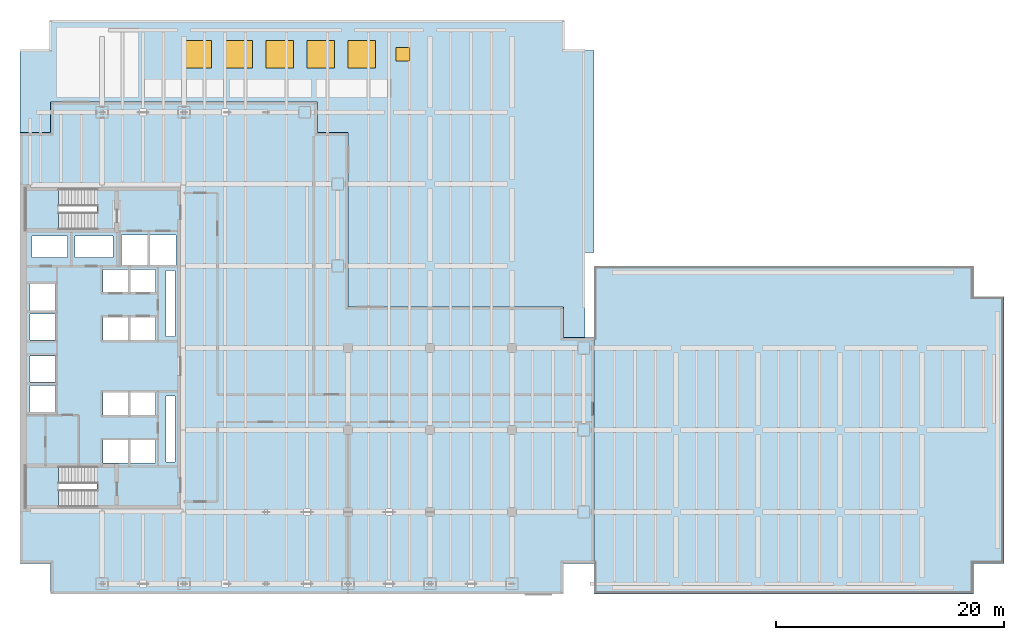
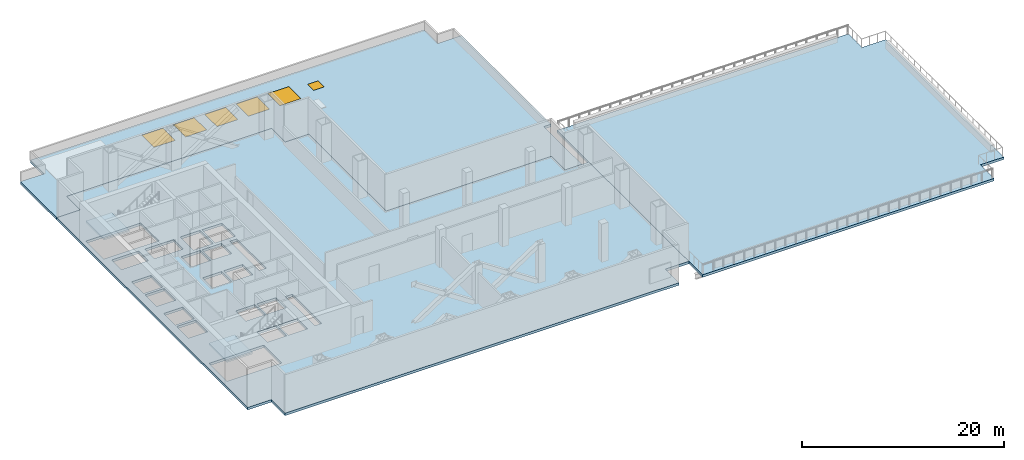
# One storey, part 5 of 12: 6 windows, 5 slabs, 26 openings, 2 elements without a shape of their own.
"""IFC4 building model written with IfcOpenShell, lengths in metres."""

from ifc_helpers import new_model, si_unit, direction, frame, origin, origin_2d, place, context, subcontext, project, spatial, polyline, rectangle, outline, extrude, material, layer, layer_set, type_object, element, fill, aggregate, save


model = new_model("IFC4")

# Units and contexts
model_context = context("Model", 3, precision=1e-05, world=origin(), true_north=direction((0.0, 1.0)))
body_context = subcontext(model_context, "Body", "Model", "MODEL_VIEW")
ifc_project = project(units=[si_unit("LENGTHUNIT", "METRE"), si_unit("AREAUNIT", "SQUARE_METRE"), si_unit("VOLUMEUNIT", "CUBIC_METRE"), si_unit("PLANEANGLEUNIT", "RADIAN"), si_unit("MASSUNIT", "GRAM", prefix="KILO")], contexts=[model_context])

# Site, building, storey
site_placement = place(None, origin())
site = spatial("IfcSite", under=ifc_project, at=site_placement, CompositionType="ELEMENT")
building_placement = place(site_placement, origin())
building = spatial("IfcBuilding", under=site, at=building_placement, Name="Cobrela Telecom Tower", CompositionType="ELEMENT")
storey_placement = place(building_placement, frame((0.0, 0.0, 26.25)))
storey = spatial("IfcBuildingStorey", under=building, at=storey_placement, Name="L06", CompositionType="ELEMENT", Elevation=26.25)

# Slab, openings
ifc_material_1 = material(Name="Concrete C40/50", Category="concrete")
ifc_layer_1 = layer(ifc_material_1, 0.300048828125)
ifc_layer_set_1 = layer_set([ifc_layer_1], Name="Concrete C40/50")
slab_type_1 = type_object("IfcSlabType", Name="SLAB-FLR-300", PredefinedType="FLOOR", material=ifc_layer_set_1)
slab_1_placement = place(storey_placement, frame((0.0, 0.0, -0.300048828125)))
slab_1 = element("IfcSlab", 1, at=slab_1_placement, inside=storey, type_object=slab_type_1, Name="L06 Structural Floor Slab", PredefinedType="FLOOR", context=body_context, shape_type="SweptSolid", body=[
    extrude(outline(polyline([(2.699951171875, 0.0), (47.699951171875, 0.0), (47.699951171875, 2.699951171875), (50.39990234375, 2.699951171875), (50.39990234375, 22.5), (47.699951171875, 22.5), (47.699951171875, 25.199951171875), (28.800048828125, 25.199951171875), (28.800048828125, 40.5), (26.10009765625, 40.5), (26.10009765625, 43.199951171875), (2.699951171875, 43.199951171875), (2.699951171875, 40.5), (0.0, 40.5), (0.0, 2.699951171875), (2.699951171875, 2.699951171875), (2.699951171875, 0.0)])), origin(), (0.0, 0.0, 1.0), 0.300048828125),
])
opening_1_placement = place(slab_1_placement, frame((0.0, 0.0, -0.02001953125)))
element("IfcOpeningElement", 2, at=opening_1_placement, cuts=slab_1, Name="Slab Shaft Opening SLAB-L06-MAIN.1", PredefinedType="OPENING", context=body_context, shape_type="SweptSolid", body=[
    extrude(outline(polyline([(8.89990234375, 28.89990234375), (11.199951171875, 28.89990234375), (11.199951171875, 31.5), (8.89990234375, 31.5), (8.89990234375, 28.89990234375)])), origin(), (0.0, 0.0, 1.0), 0.340087890625),
])
opening_2_placement = place(slab_1_placement, frame((0.0, 0.0, -0.02001953125)))
element("IfcOpeningElement", 3, at=opening_2_placement, cuts=slab_1, Name="Slab Shaft Opening SLAB-L06-MAIN.2", PredefinedType="OPENING", context=body_context, shape_type="SweptSolid", body=[
    extrude(outline(polyline([(11.39990234375, 28.89990234375), (13.699951171875, 28.89990234375), (13.699951171875, 31.5), (11.39990234375, 31.5), (11.39990234375, 28.89990234375)])), origin(), (0.0, 0.0, 1.0), 0.340087890625),
])
opening_3_placement = place(slab_1_placement, frame((0.0, 0.0, -0.02001953125)))
element("IfcOpeningElement", 4, at=opening_3_placement, cuts=slab_1, Name="Slab Shaft Opening SLAB-L06-MAIN.3", PredefinedType="OPENING", context=body_context, shape_type="SweptSolid", body=[
    extrude(outline(polyline([(7.300048828125, 22.300048828125), (9.5, 22.300048828125), (9.5, 24.300048828125), (7.300048828125, 24.300048828125), (7.300048828125, 22.300048828125)])), origin(), (0.0, 0.0, 1.0), 0.340087890625),
])
opening_4_placement = place(slab_1_placement, frame((0.0, 0.0, -0.02001953125)))
element("IfcOpeningElement", 5, at=opening_4_placement, cuts=slab_1, Name="Slab Shaft Opening SLAB-L06-MAIN.4", PredefinedType="OPENING", context=body_context, shape_type="SweptSolid", body=[
    extrude(outline(polyline([(9.699951171875, 22.300048828125), (11.89990234375, 22.300048828125), (11.89990234375, 24.300048828125), (9.699951171875, 24.300048828125), (9.699951171875, 22.300048828125)])), origin(), (0.0, 0.0, 1.0), 0.340087890625),
])
opening_5_placement = place(slab_1_placement, frame((0.0, 0.0, -0.02001953125)))
element("IfcOpeningElement", 6, at=opening_5_placement, cuts=slab_1, Name="Slab Shaft Opening SLAB-L06-MAIN.5", PredefinedType="OPENING", context=body_context, shape_type="SweptSolid", body=[
    extrude(outline(polyline([(7.300048828125, 26.5), (9.5, 26.5), (9.5, 28.5), (7.300048828125, 28.5), (7.300048828125, 26.5)])), origin(), (0.0, 0.0, 1.0), 0.340087890625),
])
opening_6_placement = place(slab_1_placement, frame((0.0, 0.0, -0.02001953125)))
element("IfcOpeningElement", 7, at=opening_6_placement, cuts=slab_1, Name="Slab Shaft Opening SLAB-L06-MAIN.6", PredefinedType="OPENING", context=body_context, shape_type="SweptSolid", body=[
    extrude(outline(polyline([(9.699951171875, 26.5), (11.89990234375, 26.5), (11.89990234375, 28.5), (9.699951171875, 28.5), (9.699951171875, 26.5)])), origin(), (0.0, 0.0, 1.0), 0.340087890625),
])
opening_7_placement = place(slab_1_placement, frame((0.0, 0.0, -0.02001953125)))
element("IfcOpeningElement", 8, at=opening_7_placement, cuts=slab_1, Name="Slab Shaft Opening SLAB-L06-MAIN.7", PredefinedType="OPENING", context=body_context, shape_type="SweptSolid", body=[
    extrude(outline(polyline([(7.300048828125, 15.699951171875), (9.5, 15.699951171875), (9.5, 17.699951171875), (7.300048828125, 17.699951171875), (7.300048828125, 15.699951171875)])), origin(), (0.0, 0.0, 1.0), 0.340087890625),
])
opening_8_placement = place(slab_1_placement, frame((0.0, 0.0, -0.02001953125)))
element("IfcOpeningElement", 9, at=opening_8_placement, cuts=slab_1, Name="Slab Shaft Opening SLAB-L06-MAIN.8", PredefinedType="OPENING", context=body_context, shape_type="SweptSolid", body=[
    extrude(outline(polyline([(9.699951171875, 15.699951171875), (11.89990234375, 15.699951171875), (11.89990234375, 17.699951171875), (9.699951171875, 17.699951171875), (9.699951171875, 15.699951171875)])), origin(), (0.0, 0.0, 1.0), 0.340087890625),
])
opening_9_placement = place(slab_1_placement, frame((0.0, 0.0, -0.02001953125)))
element("IfcOpeningElement", 10, at=opening_9_placement, cuts=slab_1, Name="Slab Shaft Opening SLAB-L06-MAIN.9", PredefinedType="OPENING", context=body_context, shape_type="SweptSolid", body=[
    extrude(outline(polyline([(7.300048828125, 11.5), (9.5, 11.5), (9.5, 13.5), (7.300048828125, 13.5), (7.300048828125, 11.5)])), origin(), (0.0, 0.0, 1.0), 0.340087890625),
])
opening_10_placement = place(slab_1_placement, frame((0.0, 0.0, -0.02001953125)))
element("IfcOpeningElement", 11, at=opening_10_placement, cuts=slab_1, Name="Slab Shaft Opening SLAB-L06-MAIN.10", PredefinedType="OPENING", context=body_context, shape_type="SweptSolid", body=[
    extrude(outline(polyline([(9.699951171875, 11.5), (11.89990234375, 11.5), (11.89990234375, 13.5), (9.699951171875, 13.5), (9.699951171875, 11.5)])), origin(), (0.0, 0.0, 1.0), 0.340087890625),
])
opening_11_placement = place(slab_1_placement, frame((0.0, 0.0, -0.02001953125)))
element("IfcOpeningElement", 12, at=opening_11_placement, cuts=slab_1, Name="Slab Shaft Opening SLAB-L06-MAIN.11", PredefinedType="OPENING", context=body_context, shape_type="SweptSolid", body=[
    extrude(outline(polyline([(0.89990234375, 16.0), (3.10009765625, 16.0), (3.10009765625, 18.300048828125), (0.89990234375, 18.300048828125), (0.89990234375, 16.0)])), origin(), (0.0, 0.0, 1.0), 0.340087890625),
])
opening_12_placement = place(slab_1_placement, frame((0.0, 0.0, -0.02001953125)))
element("IfcOpeningElement", 13, at=opening_12_placement, cuts=slab_1, Name="Slab Shaft Opening SLAB-L06-MAIN.12", PredefinedType="OPENING", context=body_context, shape_type="SweptSolid", body=[
    extrude(outline(polyline([(0.89990234375, 18.60009765625), (3.10009765625, 18.60009765625), (3.10009765625, 20.89990234375), (0.89990234375, 20.89990234375), (0.89990234375, 18.60009765625)])), origin(), (0.0, 0.0, 1.0), 0.340087890625),
])
opening_13_placement = place(slab_1_placement, frame((0.0, 0.0, -0.02001953125)))
element("IfcOpeningElement", 14, at=opening_13_placement, cuts=slab_1, Name="Slab Shaft Opening SLAB-L06-MAIN.13", PredefinedType="OPENING", context=body_context, shape_type="SweptSolid", body=[
    extrude(outline(polyline([(0.89990234375, 22.300048828125), (3.10009765625, 22.300048828125), (3.10009765625, 24.60009765625), (0.89990234375, 24.60009765625), (0.89990234375, 22.300048828125)])), origin(), (0.0, 0.0, 1.0), 0.340087890625),
])
opening_14_placement = place(slab_1_placement, frame((0.0, 0.0, -0.02001953125)))
element("IfcOpeningElement", 15, at=opening_14_placement, cuts=slab_1, Name="Slab Shaft Opening SLAB-L06-MAIN.14", PredefinedType="OPENING", context=body_context, shape_type="SweptSolid", body=[
    extrude(outline(polyline([(0.89990234375, 24.89990234375), (3.10009765625, 24.89990234375), (3.10009765625, 27.199951171875), (0.89990234375, 27.199951171875), (0.89990234375, 24.89990234375)])), origin(), (0.0, 0.0, 1.0), 0.340087890625),
])
opening_15_placement = place(slab_1_placement, frame((0.0, 0.0, -0.02001953125)))
element("IfcOpeningElement", 16, at=opening_15_placement, cuts=slab_1, Name="Slab Shaft Opening SLAB-L06-MAIN.15", PredefinedType="OPENING", context=body_context, shape_type="SweptSolid", body=[
    extrude(outline(polyline([(1.050048828125, 29.550048828125), (4.14990234375, 29.550048828125), (4.14990234375, 31.449951171875), (1.050048828125, 31.449951171875), (1.050048828125, 29.550048828125)])), origin(), (0.0, 0.0, 1.0), 0.340087890625),
])
opening_16_placement = place(slab_1_placement, frame((0.0, 0.0, -0.02001953125)))
element("IfcOpeningElement", 17, at=opening_16_placement, cuts=slab_1, Name="Slab Shaft Opening SLAB-L06-MAIN.16", PredefinedType="OPENING", context=body_context, shape_type="SweptSolid", body=[
    extrude(outline(polyline([(4.85009765625, 29.550048828125), (8.14990234375, 29.550048828125), (8.14990234375, 31.449951171875), (4.85009765625, 31.449951171875), (4.85009765625, 29.550048828125)])), origin(), (0.0, 0.0, 1.0), 0.340087890625),
])
opening_17_placement = place(slab_1_placement, frame((0.0, 0.0, -0.02001953125)))
element("IfcOpeningElement", 18, at=opening_17_placement, cuts=slab_1, Name="Slab Shaft Opening SLAB-L06-MAIN.17", PredefinedType="OPENING", context=body_context, shape_type="SweptSolid", body=[
    extrude(outline(polyline([(12.800048828125, 22.60009765625), (13.60009765625, 22.60009765625), (13.60009765625, 28.39990234375), (12.800048828125, 28.39990234375), (12.800048828125, 22.60009765625)])), origin(), (0.0, 0.0, 1.0), 0.340087890625),
])
opening_18_placement = place(slab_1_placement, frame((0.0, 0.0, -0.02001953125)))
element("IfcOpeningElement", 19, at=opening_18_placement, cuts=slab_1, Name="Slab Shaft Opening SLAB-L06-MAIN.18", PredefinedType="OPENING", context=body_context, shape_type="SweptSolid", body=[
    extrude(outline(polyline([(12.800048828125, 11.60009765625), (13.60009765625, 11.60009765625), (13.60009765625, 17.39990234375), (12.800048828125, 17.39990234375), (12.800048828125, 11.60009765625)])), origin(), (0.0, 0.0, 1.0), 0.340087890625),
])
opening_19_placement = place(slab_1_placement, frame((0.0, 0.0, -0.02001953125)))
element("IfcOpeningElement", 20, at=opening_19_placement, cuts=slab_1, Name="Slab Shaft Opening SLAB-L06-MAIN.19", PredefinedType="OPENING", context=body_context, shape_type="SweptSolid", body=[
    extrude(outline(polyline([(6.7548828125, 35.550048828125), (0.47998046875, 35.550048828125), (0.47998046875, 32.0), (6.7548828125, 32.0), (6.7548828125, 35.550048828125)])), origin(), (0.0, 0.0, 1.0), 0.340087890625),
])
opening_20_placement = place(slab_1_placement, frame((0.0, 0.0, -0.02001953125)))
element("IfcOpeningElement", 21, at=opening_20_placement, cuts=slab_1, Name="Slab Shaft Opening SLAB-L06-MAIN.20", PredefinedType="OPENING", context=body_context, shape_type="SweptSolid", body=[
    extrude(outline(polyline([(6.7548828125, 11.199951171875), (0.47998046875, 11.199951171875), (0.47998046875, 7.64990234375), (6.7548828125, 7.64990234375), (6.7548828125, 11.199951171875)])), origin(), (0.0, 0.0, 1.0), 0.340087890625),
])

# Stair, slab
stair_type = type_object("IfcStairType", Name="STAIR-CORE", PredefinedType="HALF_TURN_STAIR", material=ifc_material_1)
stair_1_placement = place(storey_placement, origin())
stair_1 = element("IfcStair", 22, at=stair_1_placement, inside=storey, type_object=stair_type, Name="L06 Smokeproof Exit Stair ST1", PredefinedType="HALF_TURN_STAIR")
ifc_layer_2 = layer(ifc_material_1, 0.199951171875)
ifc_layer_set_2 = layer_set([ifc_layer_2], Name="Concrete C40/50")
slab_type_2 = type_object("IfcSlabType", Name="SLAB-LAND-200", PredefinedType="LANDING", material=ifc_layer_set_2)
slab_2_placement = place(storey_placement, frame((0.0, 0.0, 2.25)))
slab_2 = element("IfcSlab", 23, at=slab_2_placement, type_object=slab_type_2, Name="ST1 landing 1", PredefinedType="LANDING", context=body_context, shape_type="SweptSolid", body=[
    extrude(outline(polyline([(3.39990234375, 35.550048828125), (0.47998046875, 35.550048828125), (0.47998046875, 32.0), (3.39990234375, 32.0), (3.39990234375, 35.550048828125)])), origin(), (0.0, 0.0, 1.0), 0.199951171875),
])
aggregate(stair_1, [slab_2])

stair_2_placement = place(storey_placement, origin())
stair_2 = element("IfcStair", 24, at=stair_2_placement, inside=storey, type_object=stair_type, Name="L06 Smokeproof Exit Stair ST2", PredefinedType="HALF_TURN_STAIR")
slab_3_placement = place(storey_placement, frame((0.0, 0.0, 2.25)))
slab_3 = element("IfcSlab", 25, at=slab_3_placement, type_object=slab_type_2, Name="ST2 landing 1", PredefinedType="LANDING", context=body_context, shape_type="SweptSolid", body=[
    extrude(outline(polyline([(3.39990234375, 11.199951171875), (0.47998046875, 11.199951171875), (0.47998046875, 7.64990234375), (3.39990234375, 7.64990234375), (3.39990234375, 11.199951171875)])), origin(), (0.0, 0.0, 1.0), 0.199951171875),
])
aggregate(stair_2, [slab_3])

# Slab, openings, windows
ifc_layer_3 = layer(ifc_material_1, 0.300048828125)
ifc_layer_set_3 = layer_set([ifc_layer_3], Name="Concrete C40/50")
slab_type_3 = type_object("IfcSlabType", Name="SLAB-POD-ROOF-320", PredefinedType="ROOF", material=ifc_layer_set_3)
slab_4_placement = place(storey_placement, frame((0.0, 0.0, -0.300048828125)))
slab_4 = element("IfcSlab", 26, at=slab_4_placement, inside=storey, type_object=slab_type_3, Name="L06 Podium Insulated Roof Slab 1", PredefinedType="ROOF", context=body_context, shape_type="SweptSolid", body=[
    extrude(outline(polyline([(2.699951171875, 47.699951171875), (2.699951171875, 50.39990234375), (47.699951171875, 50.39990234375), (47.699951171875, 47.699951171875), (50.39990234375, 47.699951171875), (50.39990234375, 30.0), (49.60009765625, 30.0), (49.60009765625, 22.5), (47.699951171875, 22.5), (47.699951171875, 25.199951171875), (28.800048828125, 25.199951171875), (28.800048828125, 40.5), (26.10009765625, 40.5), (26.10009765625, 43.199951171875), (2.699951171875, 43.199951171875), (2.699951171875, 40.5), (0.0, 40.5), (0.0, 47.699951171875), (2.699951171875, 47.699951171875)])), origin(), (0.0, 0.0, 1.0), 0.300048828125),
])
opening_21_placement = place(slab_4_placement, frame((15.60009765625, 47.39990234375, 0.0)))
opening_21 = element("IfcOpeningElement", 27, at=opening_21_placement, cuts=slab_4, Name="Opening WN-47", PredefinedType="OPENING", context=body_context, shape_type="SweptSolid", body=[
    extrude(rectangle(XDim=2.39990234375, YDim=2.39990234375, at=origin_2d()), origin(), (0.0, 0.0, 1.0), 0.300048828125),
])
opening_22_placement = place(slab_4_placement, frame((19.199951171875, 47.39990234375, 0.0)))
opening_22 = element("IfcOpeningElement", 28, at=opening_22_placement, cuts=slab_4, Name="Opening WN-47", PredefinedType="OPENING", context=body_context, shape_type="SweptSolid", body=[
    extrude(rectangle(XDim=2.39990234375, YDim=2.39990234375, at=origin_2d()), origin(), (0.0, 0.0, 1.0), 0.300048828125),
])
opening_23_placement = place(slab_4_placement, frame((22.800048828125, 47.39990234375, 0.0)))
opening_23 = element("IfcOpeningElement", 29, at=opening_23_placement, cuts=slab_4, Name="Opening WN-47", PredefinedType="OPENING", context=body_context, shape_type="SweptSolid", body=[
    extrude(rectangle(XDim=2.39990234375, YDim=2.39990234375, at=origin_2d()), origin(), (0.0, 0.0, 1.0), 0.300048828125),
])
opening_24_placement = place(slab_4_placement, frame((26.39990234375, 47.39990234375, 0.0)))
opening_24 = element("IfcOpeningElement", 30, at=opening_24_placement, cuts=slab_4, Name="Opening WN-47", PredefinedType="OPENING", context=body_context, shape_type="SweptSolid", body=[
    extrude(rectangle(XDim=2.39990234375, YDim=2.39990234375, at=origin_2d()), origin(), (0.0, 0.0, 1.0), 0.300048828125),
])
opening_25_placement = place(slab_4_placement, frame((30.0, 47.39990234375, 0.0)))
opening_25 = element("IfcOpeningElement", 31, at=opening_25_placement, cuts=slab_4, Name="Opening WN-47", PredefinedType="OPENING", context=body_context, shape_type="SweptSolid", body=[
    extrude(rectangle(XDim=2.39990234375, YDim=2.39990234375, at=origin_2d()), origin(), (0.0, 0.0, 1.0), 0.300048828125),
])
opening_26_placement = place(slab_4_placement, frame((33.60009765625, 47.39990234375, 0.0)))
opening_26 = element("IfcOpeningElement", 32, at=opening_26_placement, cuts=slab_4, Name="Opening WN-23", PredefinedType="OPENING", context=body_context, shape_type="SweptSolid", body=[
    extrude(rectangle(XDim=1.199951171875, YDim=1.199951171875, at=origin_2d()), origin(), (0.0, 0.0, 1.0), 0.300048828125),
])
ifc_material_2 = material(Name="Solar-Control Bronze Low-E Glass", Category="glass")
window_type_1 = type_object("IfcWindowType", Name="SKY-CONC-2400", PartitioningType="SINGLE_PANEL", PredefinedType="SKYLIGHT", material=ifc_material_2)
window_1_placement = place(opening_21_placement, frame((0.0, 0.0, 0.25)))
window_1 = element("IfcWindow", 33, at=window_1_placement, inside=storey, type_object=window_type_1, Name="L06 Public Concourse Daylight Skylight 1", OverallHeight=2.39990234375, OverallWidth=2.39990234375, PartitioningType="SINGLE_PANEL", PredefinedType="SKYLIGHT", context=body_context, shape_type="SweptSolid", body=[
    extrude(rectangle(XDim=2.39990234375, YDim=2.39990234375, at=origin_2d()), origin(), (0.0, 0.0, 1.0), 0.050048828125),
])
fill(opening_21, window_1)
window_2_placement = place(opening_22_placement, frame((0.0, 0.0, 0.25)))
window_2 = element("IfcWindow", 34, at=window_2_placement, inside=storey, type_object=window_type_1, Name="L06 Public Concourse Daylight Skylight 2", OverallHeight=2.39990234375, OverallWidth=2.39990234375, PartitioningType="SINGLE_PANEL", PredefinedType="SKYLIGHT", context=body_context, shape_type="SweptSolid", body=[
    extrude(rectangle(XDim=2.39990234375, YDim=2.39990234375, at=origin_2d()), origin(), (0.0, 0.0, 1.0), 0.050048828125),
])
fill(opening_22, window_2)
window_3_placement = place(opening_23_placement, frame((0.0, 0.0, 0.25)))
window_3 = element("IfcWindow", 35, at=window_3_placement, inside=storey, type_object=window_type_1, Name="L06 Public Concourse Daylight Skylight 3", OverallHeight=2.39990234375, OverallWidth=2.39990234375, PartitioningType="SINGLE_PANEL", PredefinedType="SKYLIGHT", context=body_context, shape_type="SweptSolid", body=[
    extrude(rectangle(XDim=2.39990234375, YDim=2.39990234375, at=origin_2d()), origin(), (0.0, 0.0, 1.0), 0.050048828125),
])
fill(opening_23, window_3)
window_4_placement = place(opening_24_placement, frame((0.0, 0.0, 0.25)))
window_4 = element("IfcWindow", 36, at=window_4_placement, inside=storey, type_object=window_type_1, Name="L06 Public Concourse Daylight Skylight 4", OverallHeight=2.39990234375, OverallWidth=2.39990234375, PartitioningType="SINGLE_PANEL", PredefinedType="SKYLIGHT", context=body_context, shape_type="SweptSolid", body=[
    extrude(rectangle(XDim=2.39990234375, YDim=2.39990234375, at=origin_2d()), origin(), (0.0, 0.0, 1.0), 0.050048828125),
])
fill(opening_24, window_4)
window_5_placement = place(opening_25_placement, frame((0.0, 0.0, 0.25)))
window_5 = element("IfcWindow", 37, at=window_5_placement, inside=storey, type_object=window_type_1, Name="L06 Public Concourse Daylight Skylight 5", OverallHeight=2.39990234375, OverallWidth=2.39990234375, PartitioningType="SINGLE_PANEL", PredefinedType="SKYLIGHT", context=body_context, shape_type="SweptSolid", body=[
    extrude(rectangle(XDim=2.39990234375, YDim=2.39990234375, at=origin_2d()), origin(), (0.0, 0.0, 1.0), 0.050048828125),
])
fill(opening_25, window_5)
ifc_material_3 = material(Name="Anodized Bronze Aluminium 6063-T6", Category="aluminium")
window_type_2 = type_object("IfcWindowType", Name="SKY-HATCH-1200", PartitioningType="SINGLE_PANEL", PredefinedType="SKYLIGHT", material=ifc_material_3)
window_6_placement = place(opening_26_placement, frame((0.0, 0.0, 0.25)))
window_6 = element("IfcWindow", 38, at=window_6_placement, inside=storey, type_object=window_type_2, Name="L06 Podium Roof Maintenance Access Skylight Hatch", OverallHeight=1.199951171875, OverallWidth=1.199951171875, PartitioningType="SINGLE_PANEL", PredefinedType="SKYLIGHT", context=body_context, shape_type="SweptSolid", body=[
    extrude(rectangle(XDim=1.199951171875, YDim=1.199951171875, at=origin_2d()), origin(), (0.0, 0.0, 1.0), 0.050048828125),
])
fill(opening_26, window_6)

# Slab
ifc_layer_4 = layer(ifc_material_1, 0.280029296875)
ifc_layer_set_4 = layer_set([ifc_layer_4], Name="Concrete C40/50")
slab_type_4 = type_object("IfcSlabType", Name="SLAB-TERR-280", PredefinedType="FLOOR", material=ifc_layer_set_4)
slab_5_placement = place(storey_placement, frame((0.0, 0.0, -0.300048828125)))
element("IfcSlab", 39, at=slab_5_placement, inside=storey, type_object=slab_type_4, Name="L06 Podium Planted Sky Garden Terrace", PredefinedType="FLOOR", context=body_context, shape_type="SweptSolid", body=[
    extrude(outline(polyline([(50.39990234375, 0.0), (83.699951171875, 0.0), (83.699951171875, 2.699951171875), (86.39990234375, 2.699951171875), (86.39990234375, 26.10009765625), (83.699951171875, 26.10009765625), (83.699951171875, 28.800048828125), (50.39990234375, 28.800048828125), (50.39990234375, 0.0)])), origin(), (0.0, 0.0, 1.0), 0.300048828125),
])

save(model, "model.ifc")
